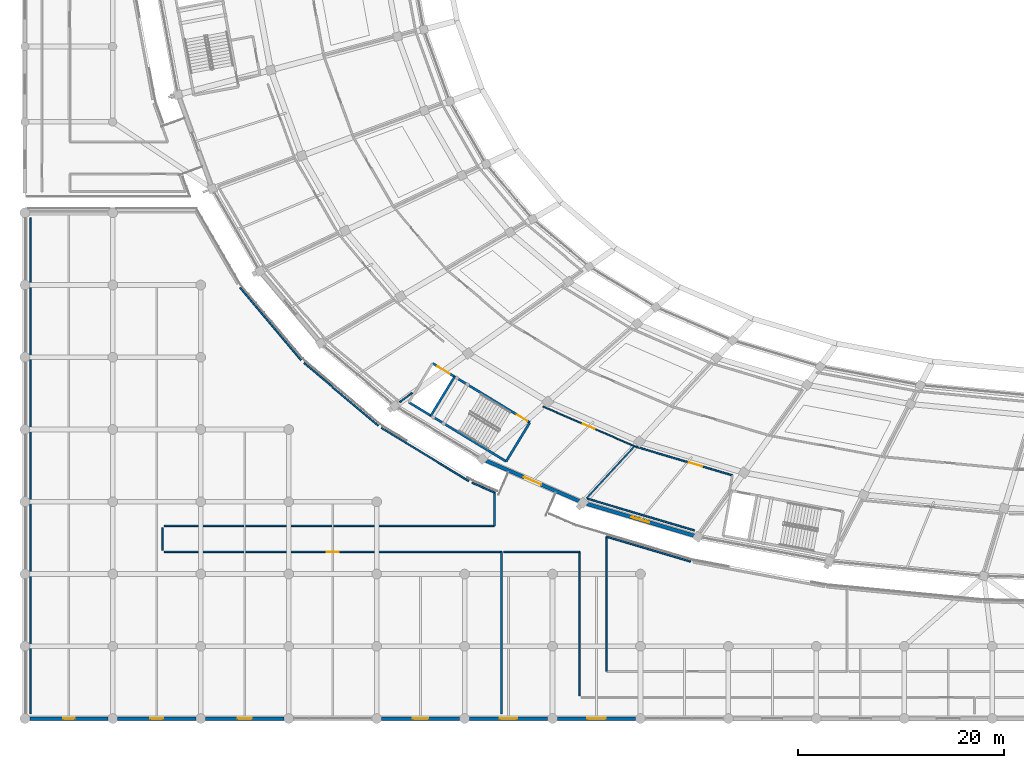
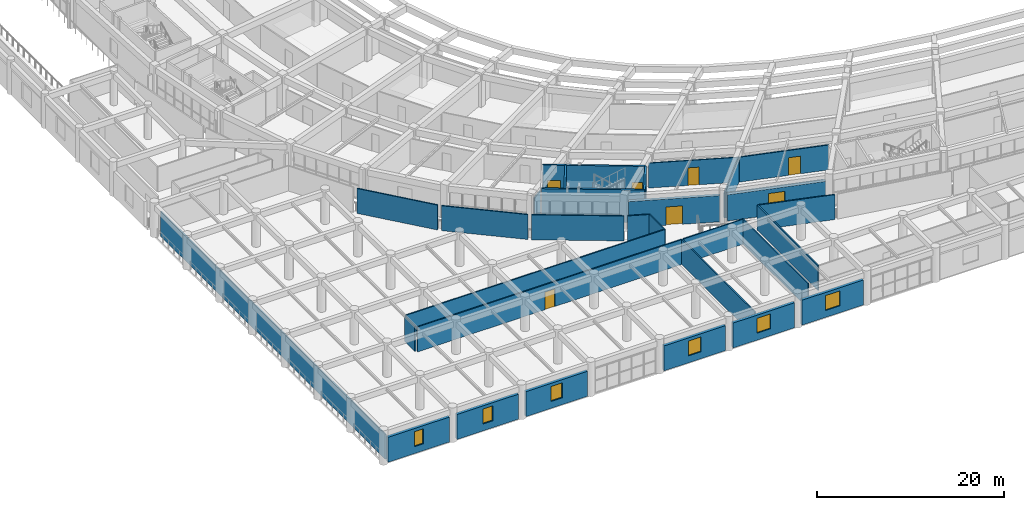
# One storey, part 92 of 145: 31 walls, 7 windows, 6 doors, 13 openings.
"""IFC4 building model written with IfcOpenShell, lengths in metres."""

from ifc_helpers import new_model, si_unit, direction, frame, frame_2d, origin, place, context, subcontext, project, spatial, rectangle, extrude, material, layer, layer_set, type_object, element, fill, save


model = new_model("IFC4")

# Units and contexts
model_context = context("Model", 3, precision=1e-05, world=origin(), true_north=direction((0.0, 1.0)))
body_context = subcontext(model_context, "Body", "Model", "MODEL_VIEW")
ifc_project = project(units=[si_unit("LENGTHUNIT", "METRE"), si_unit("AREAUNIT", "SQUARE_METRE"), si_unit("VOLUMEUNIT", "CUBIC_METRE"), si_unit("PLANEANGLEUNIT", "RADIAN"), si_unit("MASSUNIT", "GRAM", prefix="KILO")], contexts=[model_context])

# Site, building, storey
site_placement = place(None, origin())
site = spatial("IfcSite", under=ifc_project, at=site_placement, CompositionType="ELEMENT")
building_placement = place(site_placement, origin())
building = spatial("IfcBuilding", under=site, at=building_placement, Name="Mphavela Belvedere Stadium", CompositionType="ELEMENT")
storey_placement = place(building_placement, frame((0.0, 0.0, 10.199951171875)))
storey = spatial("IfcBuildingStorey", under=building, at=storey_placement, Name="L02", CompositionType="ELEMENT", Elevation=10.199951171875)

# Walls
ifc_material_1 = material(Name="Concrete C40/50", Category="concrete")
ifc_layer_1 = layer(ifc_material_1, 0.219970703125)
ifc_layer_set_1 = layer_set([ifc_layer_1], Name="Concrete C40/50")
wall_type_1 = type_object("IfcWallType", Name="WAL-CORE-SHEAR-220", PredefinedType="SHEAR", material=ifc_layer_set_1)
wall_1_placement = place(storey_placement, frame((46.62060546875, 24.908935546875, 0.0), z_axis=(0.0, 0.0, 1.0), x_axis=(-0.854373055797, 0.519660159651, 0.0)))
element("IfcWall", 1, at=wall_1_placement, inside=storey, type_object=wall_type_1, Name="Core C10 shear wall L02 rear", PredefinedType="SHEAR", context=body_context, shape_type="SweptSolid", body=[
    extrude(rectangle(XDim=11.019775390625, YDim=0.219970703125, at=frame_2d((5.509765625, 0.0))), origin(), (0.0, 0.0, 1.0), 4.25),
])
wall_2_placement = place(storey_placement, frame((48.91259765625, 28.676513671875, 0.0), z_axis=(0.0, 0.0, 1.0), x_axis=(-0.519729151243, -0.854331088834, 0.0)))
element("IfcWall", 2, at=wall_2_placement, inside=storey, type_object=wall_type_1, Name="Core C10 shear wall L02 left", PredefinedType="SHEAR", context=body_context, shape_type="SweptSolid", body=[
    extrude(rectangle(XDim=4.409912109375, YDim=0.219970703125, at=frame_2d((2.205078125, 0.0))), origin(), (0.0, 0.0, 1.0), 4.25),
])

# Wall, openings, doors
wall_3_placement = place(storey_placement, frame((48.91259765625, 28.676513671875, 0.0), z_axis=(0.0, 0.0, 1.0), x_axis=(-0.854369202373, 0.51966649501, 0.0)))
wall_3 = element("IfcWall", 3, at=wall_3_placement, inside=storey, type_object=wall_type_1, Name="Core C10 shear wall L02 front", PredefinedType="SHEAR", context=body_context, shape_type="SweptSolid", body=[
    extrude(rectangle(XDim=11.020263671875, YDim=0.219970703125, at=frame_2d((5.51025390625, 0.0))), origin(), (0.0, 0.0, 1.0), 4.25),
])
opening_1_placement = place(wall_3_placement, frame((0.300048828125, 0.0, 0.0)))
opening_1 = element("IfcOpeningElement", 4, at=opening_1_placement, cuts=wall_3, Name="Opening SD-053", PredefinedType="OPENING", context=body_context, shape_type="SweptSolid", body=[
    extrude(rectangle(XDim=1.14990234375, YDim=2.14990234375, at=frame_2d((0.574951171875, 1.074951171875))), frame((0.0, 0.1201171875, 0.0), z_axis=(0.0, -1.0, 0.0), x_axis=(1.0, 0.0, 0.0)), (0.0, 0.0, 1.0), 0.239990234375),
])
opening_2_placement = place(wall_3_placement, frame((9.080078125, 0.0, 0.0)))
opening_2 = element("IfcOpeningElement", 5, at=opening_2_placement, cuts=wall_3, Name="Opening LD-053", PredefinedType="OPENING", context=body_context, shape_type="SweptSolid", body=[
    extrude(rectangle(XDim=1.39990234375, YDim=2.25, at=frame_2d((0.699951171875, 1.125))), frame((0.0, 0.1201171875, 0.0), z_axis=(0.0, -1.0, 0.0), x_axis=(1.0, 0.0, 0.0)), (0.0, 0.0, 1.0), 0.239990234375),
])
ifc_material_2 = material(Name="Heavy-duty stainless steel goods lift landing door", Category="steel")
door_type_1 = type_object("IfcDoorType", Name="DR-LIFT-SLIDE-1400", OperationType="NOTDEFINED", PredefinedType="DOOR", material=ifc_material_2)
door_1_placement = place(opening_2_placement, origin())
door_1 = element("IfcDoor", 6, at=door_1_placement, inside=storey, type_object=door_type_1, Name="Lift landing sliding door GL02 L02", OperationType="DOUBLE_DOOR_SLIDING", OverallHeight=2.25, OverallWidth=1.39990234375, PredefinedType="DOOR", context=body_context, shape_type="SweptSolid", body=[
    extrude(rectangle(XDim=1.39990234375, YDim=2.25, at=frame_2d((0.699951171875, 1.125))), frame((0.0, 0.02490234375, 0.0), z_axis=(0.0, -1.0, 0.0), x_axis=(1.0, 0.0, 0.0)), (0.0, 0.0, 1.0), 0.050048828125),
])
fill(opening_2, door_1)
ifc_material_3 = material(Name="Steel acoustic fire-resisting stair doorset", Category="steel")
door_type_2 = type_object("IfcDoorType", Name="DR-STAIR-FIRE-1150", OperationType="NOTDEFINED", PredefinedType="DOOR", material=ifc_material_3)
door_2_placement = place(opening_1_placement, origin())
door_2 = element("IfcDoor", 7, at=door_2_placement, inside=storey, type_object=door_type_2, Name="Escape stair fire door C10 L02", OperationType="SINGLE_SWING_LEFT", OverallHeight=2.14990234375, OverallWidth=1.14990234375, PredefinedType="DOOR", context=body_context, shape_type="SweptSolid", body=[
    extrude(rectangle(XDim=1.14990234375, YDim=2.14990234375, at=frame_2d((0.574951171875, 1.074951171875))), frame((0.0, 0.02490234375, 0.0), z_axis=(0.0, -1.0, 0.0), x_axis=(1.0, 0.0, 0.0)), (0.0, 0.0, 1.0), 0.050048828125),
])
fill(opening_1, door_2)

# Wall
wall_4_placement = place(storey_placement, frame((41.6162109375, 33.114501953125, 0.0), z_axis=(0.0, 0.0, 1.0), x_axis=(-0.519664162523, -0.854370621095, 0.0)))
element("IfcWall", 8, at=wall_4_placement, inside=storey, type_object=wall_type_1, Name="Core C10 shear wall L02 div", PredefinedType="SHEAR", context=body_context, shape_type="SweptSolid", body=[
    extrude(rectangle(XDim=4.41015625, YDim=0.219970703125, at=frame_2d((2.205078125, 0.0))), origin(), (0.0, 0.0, 1.0), 4.25),
])

# Wall, opening, door
ifc_material_4 = material(Name="Honed ashlar limestone masonry", Category="masonry")
ifc_layer_2 = layer(ifc_material_4, 0.35009765625)
ifc_layer_set_2 = layer_set([ifc_layer_2], Name="Honed ashlar limestone masonry")
wall_type_2 = type_object("IfcWallType", Name="WAL-EXT-ASHLAR-350", PredefinedType="STANDARD", material=ifc_layer_set_2)
wall_5_placement = place(storey_placement, frame((53.697265625, 21.06689453125, 0.0), z_axis=(0.0, 0.0, 1.0), x_axis=(-0.917498288986, 0.397739726088, 0.0)))
wall_5 = element("IfcWall", 9, at=wall_5_placement, inside=storey, type_object=wall_type_2, Name="Classical link portal wall L02-32", PredefinedType="STANDARD", context=body_context, shape_type="SweptSolid", body=[
    extrude(rectangle(XDim=9.840087890625, YDim=0.35009765625, at=frame_2d((4.919921875, 0.0))), origin(), (0.0, 0.0, 1.0), 3.420166015625),
])
opening_3_placement = place(wall_5_placement, frame((4.02001953125, 0.0, 0.0)))
opening_3 = element("IfcOpeningElement", 10, at=opening_3_placement, cuts=wall_5, Name="Opening ID-9231", PredefinedType="OPENING", context=body_context, shape_type="SweptSolid", body=[
    extrude(rectangle(XDim=1.800048828125, YDim=2.39990234375, at=frame_2d((0.89990234375, 1.199951171875))), frame((0.0, 0.18505859375, 0.0), z_axis=(0.0, -1.0, 0.0), x_axis=(1.0, 0.0, 0.0)), (0.0, 0.0, 1.0), 0.3701171875),
])
ifc_material_5 = material(Name="Glazed bronze-anodised steel exit doorset", Category="steel")
door_type_3 = type_object("IfcDoorType", Name="DR-EXT-01", OperationType="NOTDEFINED", PredefinedType="DOOR", material=ifc_material_5)
door_3_placement = place(opening_3_placement, origin())
door_3 = element("IfcDoor", 11, at=door_3_placement, inside=storey, type_object=door_type_3, Name="Wing promenade link doorset L02-32", OperationType="DOUBLE_DOOR_SINGLE_SWING", OverallHeight=2.39990234375, OverallWidth=1.800048828125, PredefinedType="DOOR", context=body_context, shape_type="SweptSolid", body=[
    extrude(rectangle(XDim=1.800048828125, YDim=2.39990234375, at=frame_2d((0.89990234375, 1.199951171875))), frame((0.0, 0.02490234375, 0.0), z_axis=(0.0, -1.0, 0.0), x_axis=(1.0, 0.0, 0.0)), (0.0, 0.0, 1.0), 0.050048828125),
])
fill(opening_3, door_3)

# Wall, opening, window
wall_6_placement = place(storey_placement, frame((54.44384765625, 20.79541015625, 0.0), z_axis=(0.0, 0.0, 1.0), x_axis=(0.95866052287, -0.28455228323, 0.0)))
wall_6 = element("IfcWall", 12, at=wall_6_placement, inside=storey, type_object=wall_type_2, Name="Classical ashlar facade wall L02-33", PredefinedType="STANDARD", context=body_context, shape_type="SweptSolid", body=[
    extrude(rectangle(XDim=10.82080078125, YDim=0.35009765625, at=frame_2d((5.410400390625, 0.0))), origin(), (0.0, 0.0, 1.0), 3.420166015625),
])
opening_4_placement = place(wall_6_placement, frame((4.510498046875, 0.0, 0.89990234375)))
opening_4 = element("IfcOpeningElement", 13, at=opening_4_placement, cuts=wall_6, Name="Opening W-028", PredefinedType="OPENING", context=body_context, shape_type="SweptSolid", body=[
    extrude(rectangle(XDim=1.800048828125, YDim=1.949951171875, at=frame_2d((0.89990234375, 0.97509765625))), frame((0.0, 0.18505859375, 0.0), z_axis=(0.0, -1.0, 0.0), x_axis=(1.0, 0.0, 0.0)), (0.0, 0.0, 1.0), 0.3701171875),
])
ifc_material_6 = material(Name="Bronze-anodised thermally broken aluminium window", Category="aluminium")
window_type_1 = type_object("IfcWindowType", Name="WIN-EXT-28", PartitioningType="SINGLE_PANEL", PredefinedType="WINDOW", material=ifc_material_6)
window_1_placement = place(opening_4_placement, origin())
window_1 = element("IfcWindow", 14, at=window_1_placement, inside=storey, type_object=window_type_1, Name="Belvedere gallery window W-028", OverallHeight=1.949951171875, OverallWidth=1.800048828125, PartitioningType="SINGLE_PANEL", PredefinedType="WINDOW", context=body_context, shape_type="SweptSolid", body=[
    extrude(rectangle(XDim=1.800048828125, YDim=1.949951171875, at=frame_2d((0.89990234375, 0.97509765625))), frame((0.0, 0.030029296875, 0.0), z_axis=(0.0, -1.0, 0.0), x_axis=(1.0, 0.0, 0.0)), (0.0, 0.0, 1.0), 0.06005859375),
])
fill(opening_4, window_1)

wall_7_placement = place(storey_placement, frame((8.0458984375, 0.0, 0.0), z_axis=(0.0, 0.0, 1.0), x_axis=(-1.0, 0.0, 0.0)))
wall_7 = element("IfcWall", 15, at=wall_7_placement, inside=storey, type_object=wall_type_2, Name="South Axial Triumphal Peristyle Portico outer facade bay L02-01", PredefinedType="STANDARD", context=body_context, shape_type="SweptSolid", body=[
    extrude(rectangle(XDim=7.572998046875, YDim=0.35009765625, at=frame_2d((3.78662109375, 0.0))), origin(), (0.0, 0.0, 1.0), 3.260009765625),
])
opening_5_placement = place(wall_7_placement, frame((3.236572265625, 0.0, 0.89990234375)))
opening_5 = element("IfcOpeningElement", 16, at=opening_5_placement, cuts=wall_7, Name="Opening W-067", PredefinedType="OPENING", context=body_context, shape_type="SweptSolid", body=[
    extrude(rectangle(XDim=1.10009765625, YDim=1.949951171875, at=frame_2d((0.550048828125, 0.97509765625))), frame((0.0, 0.18505859375, 0.0), z_axis=(0.0, -1.0, 0.0), x_axis=(1.0, 0.0, 0.0)), (0.0, 0.0, 1.0), 0.3701171875),
])
ifc_material_7 = material(Name="Bronze-anodised thermally broken aluminium window", Category="aluminium")
window_type_2 = type_object("IfcWindowType", Name="WIN-EXT-23", PartitioningType="SINGLE_PANEL", PredefinedType="WINDOW", material=ifc_material_7)
window_2_placement = place(opening_5_placement, origin())
window_2 = element("IfcWindow", 17, at=window_2_placement, inside=storey, type_object=window_type_2, Name="South Axial Triumphal Peristyle Portico classical window W-067", OverallHeight=1.949951171875, OverallWidth=1.10009765625, PartitioningType="SINGLE_PANEL", PredefinedType="WINDOW", context=body_context, shape_type="SweptSolid", body=[
    extrude(rectangle(XDim=1.10009765625, YDim=1.949951171875, at=frame_2d((0.550048828125, 0.97509765625))), frame((0.0, 0.030029296875, 0.0), z_axis=(0.0, -1.0, 0.0), x_axis=(1.0, 0.0, 0.0)), (0.0, 0.0, 1.0), 0.06005859375),
])
fill(opening_5, window_2)

wall_8_placement = place(storey_placement, frame((16.56396484375, 0.0, 0.0), z_axis=(0.0, 0.0, 1.0), x_axis=(-1.0, 0.0, 0.0)))
wall_8 = element("IfcWall", 18, at=wall_8_placement, inside=storey, type_object=wall_type_2, Name="South Axial Triumphal Peristyle Portico outer facade bay L02-02", PredefinedType="STANDARD", context=body_context, shape_type="SweptSolid", body=[
    extrude(rectangle(XDim=7.572021484375, YDim=0.35009765625, at=frame_2d((3.7861328125, 0.0))), origin(), (0.0, 0.0, 1.0), 3.260009765625),
])
opening_6_placement = place(wall_8_placement, frame((3.166015625, 0.0, 0.89990234375)))
opening_6 = element("IfcOpeningElement", 19, at=opening_6_placement, cuts=wall_8, Name="Opening W-068", PredefinedType="OPENING", context=body_context, shape_type="SweptSolid", body=[
    extrude(rectangle(XDim=1.239990234375, YDim=1.949951171875, at=frame_2d((0.6201171875, 0.97509765625))), frame((0.0, 0.18505859375, 0.0), z_axis=(0.0, -1.0, 0.0), x_axis=(1.0, 0.0, 0.0)), (0.0, 0.0, 1.0), 0.3701171875),
])
ifc_material_8 = material(Name="Bronze-anodised thermally broken aluminium window", Category="aluminium")
window_type_3 = type_object("IfcWindowType", Name="WIN-EXT-24", PartitioningType="SINGLE_PANEL", PredefinedType="WINDOW", material=ifc_material_8)
window_3_placement = place(opening_6_placement, origin())
window_3 = element("IfcWindow", 20, at=window_3_placement, inside=storey, type_object=window_type_3, Name="South Axial Triumphal Peristyle Portico classical window W-068", OverallHeight=1.949951171875, OverallWidth=1.239990234375, PartitioningType="SINGLE_PANEL", PredefinedType="WINDOW", context=body_context, shape_type="SweptSolid", body=[
    extrude(rectangle(XDim=1.239990234375, YDim=1.949951171875, at=frame_2d((0.6201171875, 0.97509765625))), frame((0.0, 0.030029296875, 0.0), z_axis=(0.0, -1.0, 0.0), x_axis=(1.0, 0.0, 0.0)), (0.0, 0.0, 1.0), 0.06005859375),
])
fill(opening_6, window_3)

wall_9_placement = place(storey_placement, frame((25.0830078125, 0.0, 0.0), z_axis=(0.0, 0.0, 1.0), x_axis=(-1.0, 0.0, 0.0)))
wall_9 = element("IfcWall", 21, at=wall_9_placement, inside=storey, type_object=wall_type_2, Name="South Axial Triumphal Peristyle Portico outer facade bay L02-03", PredefinedType="STANDARD", context=body_context, shape_type="SweptSolid", body=[
    extrude(rectangle(XDim=7.572998046875, YDim=0.35009765625, at=frame_2d((3.78662109375, 0.0))), origin(), (0.0, 0.0, 1.0), 3.260009765625),
])
opening_7_placement = place(wall_9_placement, frame((3.096435546875, 0.0, 0.89990234375)))
opening_7 = element("IfcOpeningElement", 22, at=opening_7_placement, cuts=wall_9, Name="Opening W-069", PredefinedType="OPENING", context=body_context, shape_type="SweptSolid", body=[
    extrude(rectangle(XDim=1.3798828125, YDim=1.949951171875, at=frame_2d((0.68994140625, 0.97509765625))), frame((0.0, 0.18505859375, 0.0), z_axis=(0.0, -1.0, 0.0), x_axis=(1.0, 0.0, 0.0)), (0.0, 0.0, 1.0), 0.3701171875),
])
ifc_material_9 = material(Name="Bronze-anodised thermally broken aluminium window", Category="aluminium")
window_type_4 = type_object("IfcWindowType", Name="WIN-EXT-25", PartitioningType="SINGLE_PANEL", PredefinedType="WINDOW", material=ifc_material_9)
window_4_placement = place(opening_7_placement, origin())
window_4 = element("IfcWindow", 23, at=window_4_placement, inside=storey, type_object=window_type_4, Name="South Axial Triumphal Peristyle Portico classical window W-069", OverallHeight=1.949951171875, OverallWidth=1.3798828125, PartitioningType="SINGLE_PANEL", PredefinedType="WINDOW", context=body_context, shape_type="SweptSolid", body=[
    extrude(rectangle(XDim=1.3798828125, YDim=1.949951171875, at=frame_2d((0.68994140625, 0.97509765625))), frame((0.0, 0.030029296875, 0.0), z_axis=(0.0, -1.0, 0.0), x_axis=(1.0, 0.0, 0.0)), (0.0, 0.0, 1.0), 0.06005859375),
])
fill(opening_7, window_4)

wall_10_placement = place(storey_placement, frame((42.1201171875, 0.0, 0.0), z_axis=(0.0, 0.0, 1.0), x_axis=(-1.0, 0.0, 0.0)))
wall_10 = element("IfcWall", 24, at=wall_10_placement, inside=storey, type_object=wall_type_2, Name="South Axial Triumphal Peristyle Portico outer facade bay L02-05", PredefinedType="STANDARD", context=body_context, shape_type="SweptSolid", body=[
    extrude(rectangle(XDim=7.572998046875, YDim=0.35009765625, at=frame_2d((3.78662109375, 0.0))), origin(), (0.0, 0.0, 1.0), 3.260009765625),
])
opening_8_placement = place(wall_10_placement, frame((3.026611328125, 0.0, 0.89990234375)))
opening_8 = element("IfcOpeningElement", 25, at=opening_8_placement, cuts=wall_10, Name="Opening W-070", PredefinedType="OPENING", context=body_context, shape_type="SweptSolid", body=[
    extrude(rectangle(XDim=1.52001953125, YDim=1.949951171875, at=frame_2d((0.760009765625, 0.97509765625))), frame((0.0, 0.18505859375, 0.0), z_axis=(0.0, -1.0, 0.0), x_axis=(1.0, 0.0, 0.0)), (0.0, 0.0, 1.0), 0.3701171875),
])
ifc_material_10 = material(Name="Bronze-anodised thermally broken aluminium window", Category="aluminium")
window_type_5 = type_object("IfcWindowType", Name="WIN-EXT-26", PartitioningType="SINGLE_PANEL", PredefinedType="WINDOW", material=ifc_material_10)
window_5_placement = place(opening_8_placement, origin())
window_5 = element("IfcWindow", 26, at=window_5_placement, inside=storey, type_object=window_type_5, Name="South Axial Triumphal Peristyle Portico classical window W-070", OverallHeight=1.949951171875, OverallWidth=1.52001953125, PartitioningType="SINGLE_PANEL", PredefinedType="WINDOW", context=body_context, shape_type="SweptSolid", body=[
    extrude(rectangle(XDim=1.52001953125, YDim=1.949951171875, at=frame_2d((0.760009765625, 0.97509765625))), frame((0.0, 0.030029296875, 0.0), z_axis=(0.0, -1.0, 0.0), x_axis=(1.0, 0.0, 0.0)), (0.0, 0.0, 1.0), 0.06005859375),
])
fill(opening_8, window_5)

wall_11_placement = place(storey_placement, frame((50.637939453125, 0.0, 0.0), z_axis=(0.0, 0.0, 1.0), x_axis=(-1.0, 0.0, 0.0)))
wall_11 = element("IfcWall", 27, at=wall_11_placement, inside=storey, type_object=wall_type_2, Name="South Axial Triumphal Peristyle Portico outer facade bay L02-06", PredefinedType="STANDARD", context=body_context, shape_type="SweptSolid", body=[
    extrude(rectangle(XDim=7.572021484375, YDim=0.35009765625, at=frame_2d((3.7861328125, 0.0))), origin(), (0.0, 0.0, 1.0), 3.260009765625),
])
opening_9_placement = place(wall_11_placement, frame((2.9560546875, 0.0, 0.89990234375)))
opening_9 = element("IfcOpeningElement", 28, at=opening_9_placement, cuts=wall_11, Name="Opening W-071", PredefinedType="OPENING", context=body_context, shape_type="SweptSolid", body=[
    extrude(rectangle(XDim=1.659912109375, YDim=1.949951171875, at=frame_2d((0.830078125, 0.97509765625))), frame((0.0, 0.18505859375, 0.0), z_axis=(0.0, -1.0, 0.0), x_axis=(1.0, 0.0, 0.0)), (0.0, 0.0, 1.0), 0.3701171875),
])
ifc_material_11 = material(Name="Bronze-anodised thermally broken aluminium window", Category="aluminium")
window_type_6 = type_object("IfcWindowType", Name="WIN-EXT-27", PartitioningType="SINGLE_PANEL", PredefinedType="WINDOW", material=ifc_material_11)
window_6_placement = place(opening_9_placement, origin())
window_6 = element("IfcWindow", 29, at=window_6_placement, inside=storey, type_object=window_type_6, Name="South Axial Triumphal Peristyle Portico classical window W-071", OverallHeight=1.949951171875, OverallWidth=1.659912109375, PartitioningType="SINGLE_PANEL", PredefinedType="WINDOW", context=body_context, shape_type="SweptSolid", body=[
    extrude(rectangle(XDim=1.659912109375, YDim=1.949951171875, at=frame_2d((0.830078125, 0.97509765625))), frame((0.0, 0.030029296875, 0.0), z_axis=(0.0, -1.0, 0.0), x_axis=(1.0, 0.0, 0.0)), (0.0, 0.0, 1.0), 0.06005859375),
])
fill(opening_9, window_6)

wall_12_placement = place(storey_placement, frame((59.156982421875, 0.0, 0.0), z_axis=(0.0, 0.0, 1.0), x_axis=(-1.0, 0.0, 0.0)))
wall_12 = element("IfcWall", 30, at=wall_12_placement, inside=storey, type_object=wall_type_2, Name="South Axial Triumphal Peristyle Portico outer facade bay L02-07", PredefinedType="STANDARD", context=body_context, shape_type="SweptSolid", body=[
    extrude(rectangle(XDim=7.572998046875, YDim=0.35009765625, at=frame_2d((3.78662109375, 0.0))), origin(), (0.0, 0.0, 1.0), 3.260009765625),
])
opening_10_placement = place(wall_12_placement, frame((2.886474609375, 0.0, 0.89990234375)))
opening_10 = element("IfcOpeningElement", 31, at=opening_10_placement, cuts=wall_12, Name="Opening W-072", PredefinedType="OPENING", context=body_context, shape_type="SweptSolid", body=[
    extrude(rectangle(XDim=1.800048828125, YDim=1.949951171875, at=frame_2d((0.89990234375, 0.97509765625))), frame((0.0, 0.18505859375, 0.0), z_axis=(0.0, -1.0, 0.0), x_axis=(1.0, 0.0, 0.0)), (0.0, 0.0, 1.0), 0.3701171875),
])
window_7_placement = place(opening_10_placement, origin())
window_7 = element("IfcWindow", 32, at=window_7_placement, inside=storey, type_object=window_type_1, Name="South Axial Triumphal Peristyle Portico classical window W-072", OverallHeight=1.949951171875, OverallWidth=1.800048828125, PartitioningType="SINGLE_PANEL", PredefinedType="WINDOW", context=body_context, shape_type="SweptSolid", body=[
    extrude(rectangle(XDim=1.800048828125, YDim=1.949951171875, at=frame_2d((0.89990234375, 0.97509765625))), frame((0.0, 0.030029296875, 0.0), z_axis=(0.0, -1.0, 0.0), x_axis=(1.0, 0.0, 0.0)), (0.0, 0.0, 1.0), 0.06005859375),
])
fill(opening_10, window_7)

# Wall, opening, door
ifc_material_12 = material(Name="Moisture-resistant sanitary partition assembly")
ifc_layer_3 = layer(ifc_material_12, 0.125)
ifc_layer_set_3 = layer_set([ifc_layer_3], Name="Moisture-resistant sanitary partition assembly")
wall_type_3 = type_object("IfcWallType", Name="WAL-PART-125", PredefinedType="PARTITIONING", material=ifc_layer_set_3)
wall_13_placement = place(storey_placement, frame((50.18017578125, 30.227783203125, 0.0), z_axis=(0.0, 0.0, 1.0), x_axis=(0.917508957037, -0.39771511633, 0.0)))
wall_13 = element("IfcWall", 33, at=wall_13_placement, inside=storey, type_object=wall_type_3, Name="Room L02-115 corridor partition", PredefinedType="PARTITIONING", context=body_context, shape_type="SweptSolid", body=[
    extrude(rectangle(XDim=9.67138671875, YDim=0.125, at=frame_2d((4.835693359375, 0.0))), origin(), (0.0, 0.0, 1.0), 3.25),
])
opening_11_placement = place(wall_13_placement, frame((4.2255859375, 0.0, 0.0)))
opening_11 = element("IfcOpeningElement", 34, at=opening_11_placement, cuts=wall_13, Name="Opening ID-213", PredefinedType="OPENING", context=body_context, shape_type="SweptSolid", body=[
    extrude(rectangle(XDim=1.219970703125, YDim=2.300048828125, at=frame_2d((0.60986328125, 1.14990234375))), frame((0.0, 0.072509765625, 0.0), z_axis=(0.0, -1.0, 0.0), x_axis=(1.0, 0.0, 0.0)), (0.0, 0.0, 1.0), 0.14501953125),
])
ifc_material_13 = material(Name="Hardwood acoustic timber doorset", Category="wood")
door_type_4 = type_object("IfcDoorType", Name="DR-INT-33", OperationType="NOTDEFINED", PredefinedType="DOOR", material=ifc_material_13)
door_4_placement = place(opening_11_placement, origin())
door_4 = element("IfcDoor", 35, at=door_4_placement, inside=storey, type_object=door_type_4, Name="Room L02-115 entrance door ID-213", OperationType="SINGLE_SWING_LEFT", OverallHeight=2.300048828125, OverallWidth=1.219970703125, PredefinedType="DOOR", context=body_context, shape_type="SweptSolid", body=[
    extrude(rectangle(XDim=1.219970703125, YDim=2.300048828125, at=frame_2d((0.60986328125, 1.14990234375))), frame((0.0, 0.02490234375, 0.0), z_axis=(0.0, -1.0, 0.0), x_axis=(1.0, 0.0, 0.0)), (0.0, 0.0, 1.0), 0.050048828125),
])
fill(opening_11, door_4)

ifc_material_14 = material(Name="Acoustic gypsum stud partition assembly")
ifc_layer_4 = layer(ifc_material_14, 0.14990234375)
ifc_layer_set_4 = layer_set([ifc_layer_4], Name="Acoustic gypsum stud partition assembly")
wall_type_4 = type_object("IfcWallType", Name="WAL-PART-150", PredefinedType="PARTITIONING", material=ifc_layer_set_4)
wall_14_placement = place(storey_placement, frame((59.1337890625, 26.35009765625, 0.0), z_axis=(0.0, 0.0, 1.0), x_axis=(0.958661401763, -0.284549322211, 0.0)))
wall_14 = element("IfcWall", 36, at=wall_14_placement, inside=storey, type_object=wall_type_4, Name="Room L02-118 corridor partition", PredefinedType="PARTITIONING", context=body_context, shape_type="SweptSolid", body=[
    extrude(rectangle(XDim=9.80859375, YDim=0.14990234375, at=frame_2d((4.904296875, 0.0))), origin(), (0.0, 0.0, 1.0), 3.25),
])
opening_12_placement = place(wall_14_placement, frame((5.42138671875, 0.0, 0.0)))
opening_12 = element("IfcOpeningElement", 37, at=opening_12_placement, cuts=wall_14, Name="Opening ID-215", PredefinedType="OPENING", context=body_context, shape_type="SweptSolid", body=[
    extrude(rectangle(XDim=1.320068359375, YDim=2.300048828125, at=frame_2d((0.66015625, 1.14990234375))), frame((0.0, 0.0849609375, 0.0), z_axis=(0.0, -1.0, 0.0), x_axis=(1.0, 0.0, 0.0)), (0.0, 0.0, 1.0), 0.169921875),
])
ifc_material_15 = material(Name="Hardwood acoustic timber doorset", Category="wood")
door_type_5 = type_object("IfcDoorType", Name="DR-INT-35", OperationType="NOTDEFINED", PredefinedType="DOOR", material=ifc_material_15)
door_5_placement = place(opening_12_placement, origin())
door_5 = element("IfcDoor", 38, at=door_5_placement, inside=storey, type_object=door_type_5, Name="Room L02-118 entrance door ID-215", OperationType="SINGLE_SWING_LEFT", OverallHeight=2.300048828125, OverallWidth=1.320068359375, PredefinedType="DOOR", context=body_context, shape_type="SweptSolid", body=[
    extrude(rectangle(XDim=1.320068359375, YDim=2.300048828125, at=frame_2d((0.66015625, 1.14990234375))), frame((0.0, 0.02490234375, 0.0), z_axis=(0.0, -1.0, 0.0), x_axis=(1.0, 0.0, 0.0)), (0.0, 0.0, 1.0), 0.050048828125),
])
fill(opening_12, door_5)

wall_15_placement = place(storey_placement, frame((13.5, 16.139892578125, 0.0), z_axis=(0.0, 0.0, 1.0), x_axis=(1.0, 0.0, 0.0)))
wall_15 = element("IfcWall", 39, at=wall_15_placement, inside=storey, type_object=wall_type_4, Name="Room L02-162 corridor partition", PredefinedType="PARTITIONING", context=body_context, shape_type="SweptSolid", body=[
    extrude(rectangle(XDim=32.669921875, YDim=0.14990234375, at=frame_2d((16.3349609375, 0.0))), origin(), (0.0, 0.0, 1.0), 3.25),
])
opening_13_placement = place(wall_15_placement, frame((15.7451171875, 0.0, 0.0)))
opening_13 = element("IfcOpeningElement", 40, at=opening_13_placement, cuts=wall_15, Name="Opening ID-392", PredefinedType="OPENING", context=body_context, shape_type="SweptSolid", body=[
    extrude(rectangle(XDim=1.179931640625, YDim=2.300048828125, at=frame_2d((0.58984375, 1.14990234375))), frame((0.0, 0.0849609375, 0.0), z_axis=(0.0, -1.0, 0.0), x_axis=(1.0, 0.0, 0.0)), (0.0, 0.0, 1.0), 0.169921875),
])
ifc_material_16 = material(Name="Hardwood acoustic timber doorset", Category="wood")
door_type_6 = type_object("IfcDoorType", Name="DR-INT-32", OperationType="NOTDEFINED", PredefinedType="DOOR", material=ifc_material_16)
door_6_placement = place(opening_13_placement, origin())
door_6 = element("IfcDoor", 41, at=door_6_placement, inside=storey, type_object=door_type_6, Name="Room L02-162 entrance door ID-392", OperationType="SINGLE_SWING_RIGHT", OverallHeight=2.300048828125, OverallWidth=1.179931640625, PredefinedType="DOOR", context=body_context, shape_type="SweptSolid", body=[
    extrude(rectangle(XDim=1.179931640625, YDim=2.300048828125, at=frame_2d((0.58984375, 1.14990234375))), frame((0.0, 0.02490234375, 0.0), z_axis=(0.0, -1.0, 0.0), x_axis=(1.0, 0.0, 0.0)), (0.0, 0.0, 1.0), 0.050048828125),
])
fill(opening_13, door_6)

# Walls
wall_16_placement = place(storey_placement, frame((37.538330078125, 31.54833984375, 0.0), z_axis=(0.0, 0.0, 1.0), x_axis=(-0.812848600764, -0.582475022844, 0.0)))
element("IfcWall", 42, at=wall_16_placement, inside=storey, type_object=wall_type_4, Name="Room divider partition L02-0376", PredefinedType="PARTITIONING", context=body_context, shape_type="SweptSolid", body=[
    extrude(rectangle(XDim=1.5302734375, YDim=0.14990234375, at=frame_2d((0.76513671875, 0.0))), origin(), (0.0, 0.0, 1.0), 3.25),
])
wall_17_placement = place(storey_placement, frame((59.0537109375, 26.38134765625, 0.0), z_axis=(0.0, 0.0, 1.0), x_axis=(-0.677844539823, -0.735205263741, 0.0)))
element("IfcWall", 43, at=wall_17_placement, inside=storey, type_object=wall_type_4, Name="Room divider partition L02-0382", PredefinedType="PARTITIONING", context=body_context, shape_type="SweptSolid", body=[
    extrude(rectangle(XDim=6.86962890625, YDim=0.14990234375, at=frame_2d((3.434814453125, 0.0))), origin(), (0.0, 0.0, 1.0), 3.25),
])
wall_18_placement = place(storey_placement, frame((64.86083984375, 18.2216796875, 0.0), z_axis=(0.0, 0.0, 1.0), x_axis=(-0.958658110998, 0.284560408733, 0.0)))
element("IfcWall", 44, at=wall_18_placement, inside=storey, type_object=wall_type_4, Name="Room divider partition L02-0387", PredefinedType="PARTITIONING", context=body_context, shape_type="SweptSolid", body=[
    extrude(rectangle(XDim=10.828369140625, YDim=0.14990234375, at=frame_2d((5.4140625, 0.0))), origin(), (0.0, 0.0, 1.0), 3.25),
])
wall_19_placement = place(storey_placement, frame((20.847412109375, 41.7255859375, 0.0), z_axis=(0.0, 0.0, 1.0), x_axis=(0.645180125691, -0.764030500316, 0.0)))
element("IfcWall", 45, at=wall_19_placement, inside=storey, type_object=wall_type_4, Name="Room divider partition L02-0747", PredefinedType="PARTITIONING", context=body_context, shape_type="SweptSolid", body=[
    extrude(rectangle(XDim=9.1513671875, YDim=0.14990234375, at=frame_2d((4.57568359375, 0.0))), origin(), (0.0, 0.0, 1.0), 3.25),
])
wall_20_placement = place(storey_placement, frame((27.04931640625, 34.435791015625, 0.0), z_axis=(0.0, 0.0, 1.0), x_axis=(0.76426547638, -0.644901761212, 0.0)))
element("IfcWall", 46, at=wall_20_placement, inside=storey, type_object=wall_type_4, Name="Room divider partition L02-0748", PredefinedType="PARTITIONING", context=body_context, shape_type="SweptSolid", body=[
    extrude(rectangle(XDim=9.3984375, YDim=0.14990234375, at=frame_2d((4.69921875, 0.0))), origin(), (0.0, 0.0, 1.0), 3.25),
])
wall_21_placement = place(storey_placement, frame((34.544921875, 28.149658203125, 0.0), z_axis=(0.0, 0.0, 1.0), x_axis=(0.854333268174, -0.519725568826, 0.0)))
element("IfcWall", 47, at=wall_21_placement, inside=storey, type_object=wall_type_4, Name="Room divider partition L02-0749", PredefinedType="PARTITIONING", context=body_context, shape_type="SweptSolid", body=[
    extrude(rectangle(XDim=9.90185546875, YDim=0.14990234375, at=frame_2d((4.950927734375, 0.0))), origin(), (0.0, 0.0, 1.0), 3.25),
])
wall_22_placement = place(storey_placement, frame((43.3095703125, 22.845458984375, 0.0), z_axis=(0.0, 0.0, 1.0), x_axis=(0.917484400903, -0.397771761314, 0.0)))
element("IfcWall", 48, at=wall_22_placement, inside=storey, type_object=wall_type_4, Name="Room divider partition L02-0750", PredefinedType="PARTITIONING", context=body_context, shape_type="SweptSolid", body=[
    extrude(rectangle(XDim=2.37646484375, YDim=0.14990234375, at=frame_2d((1.188232421875, 0.0))), origin(), (0.0, 0.0, 1.0), 3.25),
])
wall_23_placement = place(storey_placement, frame((45.489990234375, 21.900146484375, 0.0), z_axis=(0.0, 0.0, 1.0), x_axis=(0.0, -1.0, 0.0)))
element("IfcWall", 49, at=wall_23_placement, inside=storey, type_object=wall_type_4, Name="Room divider partition L02-0751", PredefinedType="PARTITIONING", context=body_context, shape_type="SweptSolid", body=[
    extrude(rectangle(XDim=3.240234375, YDim=0.14990234375, at=frame_2d((1.6201171875, 0.0))), origin(), (0.0, 0.0, 1.0), 3.25),
])
wall_24_placement = place(storey_placement, frame((45.489990234375, 18.659912109375, 0.0), z_axis=(0.0, 0.0, 1.0), x_axis=(-0.999999999738, -2.2884168e-05, 0.0)))
element("IfcWall", 50, at=wall_24_placement, inside=storey, type_object=wall_type_4, Name="Room divider partition L02-0752", PredefinedType="PARTITIONING", context=body_context, shape_type="SweptSolid", body=[
    extrude(rectangle(XDim=32.005615234375, YDim=0.14990234375, at=frame_2d((16.0029296875, 0.0))), origin(), (0.0, 0.0, 1.0), 3.25),
])
wall_25_placement = place(storey_placement, frame((13.340087890625, 18.5, 0.0), z_axis=(0.0, 0.0, 1.0), x_axis=(0.0, -1.0, 0.0)))
element("IfcWall", 51, at=wall_25_placement, inside=storey, type_object=wall_type_4, Name="Room divider partition L02-0753", PredefinedType="PARTITIONING", context=body_context, shape_type="SweptSolid", body=[
    extrude(rectangle(XDim=2.199951171875, YDim=0.14990234375, at=frame_2d((1.10009765625, 0.0))), origin(), (0.0, 0.0, 1.0), 3.25),
])
wall_26_placement = place(storey_placement, frame((46.169921875, 16.139892578125, 0.0), z_axis=(0.0, 0.0, 1.0), x_axis=(0.0, -1.0, 0.0)))
element("IfcWall", 52, at=wall_26_placement, inside=storey, type_object=wall_type_4, Name="Room divider partition L02-0754", PredefinedType="PARTITIONING", context=body_context, shape_type="SweptSolid", body=[
    extrude(rectangle(XDim=15.68994140625, YDim=0.14990234375, at=frame_2d((7.844970703125, 0.0))), origin(), (0.0, 0.0, 1.0), 3.25),
])
wall_27_placement = place(storey_placement, frame((0.550048828125, 0.449951171875, 0.0), z_axis=(0.0, 0.0, 1.0), x_axis=(0.0, 1.0, 0.0)))
element("IfcWall", 53, at=wall_27_placement, inside=storey, type_object=wall_type_4, Name="Room divider partition L02-0755", PredefinedType="PARTITIONING", context=body_context, shape_type="SweptSolid", body=[
    extrude(rectangle(XDim=48.050048828125, YDim=0.14990234375, at=frame_2d((24.02490234375, 0.0))), origin(), (0.0, 0.0, 1.0), 3.25),
])
wall_28_placement = place(storey_placement, frame((53.739990234375, 16.139892578125, 0.0), z_axis=(0.0, 0.0, 1.0), x_axis=(0.0, -1.0, 0.0)))
element("IfcWall", 54, at=wall_28_placement, inside=storey, type_object=wall_type_4, Name="Room divider partition L02-0757", PredefinedType="PARTITIONING", context=body_context, shape_type="SweptSolid", body=[
    extrude(rectangle(XDim=13.93994140625, YDim=0.14990234375, at=frame_2d((6.969970703125, 0.0))), origin(), (0.0, 0.0, 1.0), 3.25),
])
wall_29_placement = place(storey_placement, frame((46.3701171875, 16.139892578125, 0.0), z_axis=(0.0, 0.0, 1.0), x_axis=(1.0, 0.0, 0.0)))
element("IfcWall", 55, at=wall_29_placement, inside=storey, type_object=wall_type_4, Name="Room divider partition L02-0759", PredefinedType="PARTITIONING", context=body_context, shape_type="SweptSolid", body=[
    extrude(rectangle(XDim=7.369873046875, YDim=0.14990234375, at=frame_2d((3.68505859375, 0.0))), origin(), (0.0, 0.0, 1.0), 3.25),
])
wall_30_placement = place(storey_placement, frame((56.360107421875, 4.56005859375, 0.0), z_axis=(0.0, 0.0, 1.0), x_axis=(0.0, 1.0, 0.0)))
element("IfcWall", 56, at=wall_30_placement, inside=storey, type_object=wall_type_4, Name="Room divider partition L02-0777", PredefinedType="PARTITIONING", context=body_context, shape_type="SweptSolid", body=[
    extrude(rectangle(XDim=13.058837890625, YDim=0.14990234375, at=frame_2d((6.529296875, 0.0))), origin(), (0.0, 0.0, 1.0), 3.25),
])
wall_31_placement = place(storey_placement, frame((56.360107421875, 17.618896484375, 0.0), z_axis=(0.0, 0.0, 1.0), x_axis=(0.95866000112, -0.284554041006, 0.0)))
element("IfcWall", 57, at=wall_31_placement, inside=storey, type_object=wall_type_4, Name="Room divider partition L02-0778", PredefinedType="PARTITIONING", context=body_context, shape_type="SweptSolid", body=[
    extrude(rectangle(XDim=8.477783203125, YDim=0.14990234375, at=frame_2d((4.23876953125, 0.0))), origin(), (0.0, 0.0, 1.0), 3.25),
])

save(model, "model.ifc")
